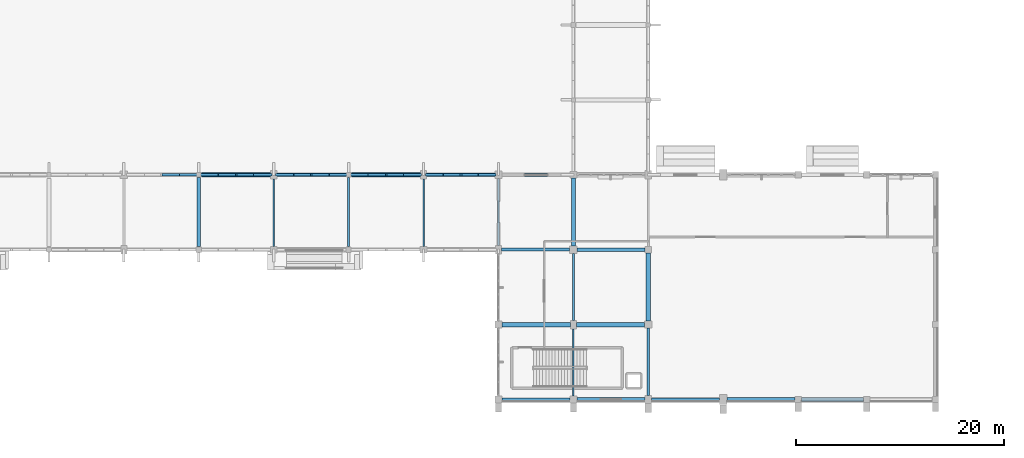
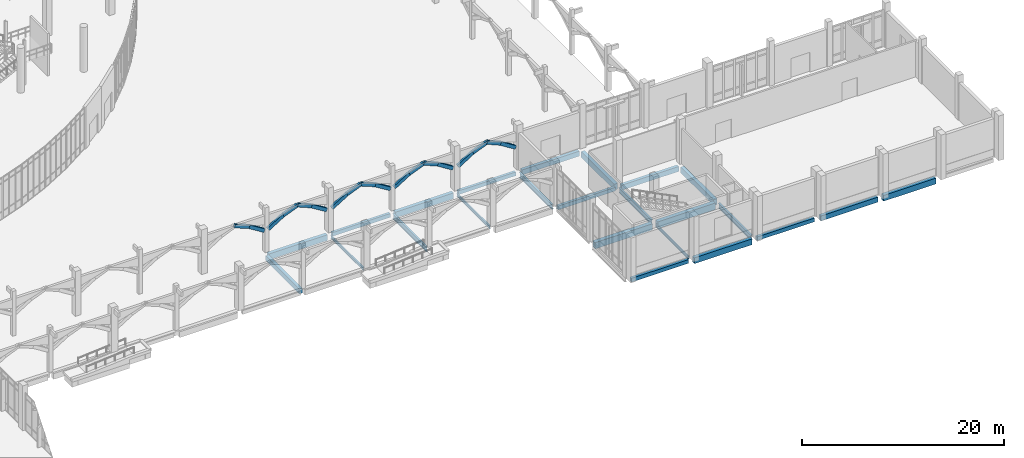
# One storey, part 29 of 110: 24 beams, 18 members.
"""IFC4 building model written with IfcOpenShell, lengths in metres."""

from ifc_helpers import new_model, si_unit, direction, frame, origin, origin_2d, place, context, subcontext, project, spatial, rectangle, i_section, extrude, material, material_profile, profile_set, type_object, element, save


model = new_model("IFC4")

# Units and contexts
model_context = context("Model", 3, precision=1e-05, world=origin(), true_north=direction((0.0, 1.0)))
body_context = subcontext(model_context, "Body", "Model", "MODEL_VIEW")
ifc_project = project(units=[si_unit("LENGTHUNIT", "METRE"), si_unit("AREAUNIT", "SQUARE_METRE"), si_unit("VOLUMEUNIT", "CUBIC_METRE"), si_unit("PLANEANGLEUNIT", "RADIAN"), si_unit("MASSUNIT", "GRAM", prefix="KILO")], contexts=[model_context])

# Site, building, storey
site_placement = place(None, origin())
site = spatial("IfcSite", under=ifc_project, at=site_placement, CompositionType="ELEMENT")
building_placement = place(site_placement, origin())
building = spatial("IfcBuilding", under=site, at=building_placement, Name="Kalluvel Institute of Natural Sciences", CompositionType="ELEMENT")
storey_placement = place(building_placement, origin())
storey = spatial("IfcBuildingStorey", under=building, at=storey_placement, Name="L00", CompositionType="ELEMENT", Elevation=0.0)

# Beams
ifc_material_1 = material(Name="Steel E350 Grade 350", Category="steel")
ifc_material_profile_1 = material_profile(ifc_material_1, i_section(OverallWidth=0.139892578125, OverallDepth=0.35009765625, WebThickness=0.008056640625, FlangeThickness=0.01416015625, FilletRadius=0.013916015625, at=origin_2d()), Name="ISMB 350")
ifc_profile_set_1 = profile_set([ifc_material_profile_1], Name="Steel E350 Grade 350")
beam_type_1 = type_object("IfcBeamType", Name="BM-ISMB350", PredefinedType="BEAM", material=ifc_profile_set_1)
for number, where, z_axis, x_axis, name in (
    (1, (78.800048828125, 28.72509765625, -0.4951171875), (0.0, 1.0, 0.0), (-1.0, 0.0, 0.0), "L00 girder GIR-L00-NS-X788-Y284"),
    (2, (93.199951171875, 28.72509765625, -0.4951171875), (0.0, 1.0, 0.0), (-1.0, 0.0, 0.0), "L00 girder GIR-L00-NS-X932-Y284"),
):
    element("IfcBeam", number, at=place(storey_placement, frame(where, z_axis=z_axis, x_axis=x_axis)), inside=storey, type_object=beam_type_1, Name=name, PredefinedType="BEAM", context=body_context, shape_type="SweptSolid", body=[
        extrude(i_section(OverallWidth=0.139892578125, OverallDepth=0.35009765625, WebThickness=0.008056640625, FlangeThickness=0.01416015625, FilletRadius=0.013916015625, at=origin_2d()), origin(), (0.0, 0.0, 1.0), 6.474853515625),
    ])
beam_1_placement = place(storey_placement, frame((107.60009765625, 14.324951171875, -0.4951171875), z_axis=(0.0, 1.0, 0.0), x_axis=(-1.0, 0.0, 0.0)))
element("IfcBeam", 3, at=beam_1_placement, inside=storey, type_object=beam_type_1, Name="L00 girder GIR-L00-NS-X1076-Y140", PredefinedType="BEAM", context=body_context, shape_type="SweptSolid", body=[
    extrude(i_section(OverallWidth=0.139892578125, OverallDepth=0.35009765625, WebThickness=0.008056640625, FlangeThickness=0.01416015625, FilletRadius=0.013916015625, at=origin_2d()), origin(), (0.0, 0.0, 1.0), 6.47509765625),
])
ifc_material_profile_2 = material_profile(ifc_material_1, i_section(OverallWidth=0.2099609375, OverallDepth=0.60009765625, WebThickness=0.011962890625, FlangeThickness=0.020751953125, FilletRadius=0.02001953125, at=origin_2d()), Name="ISMB 600")
ifc_profile_set_2 = profile_set([ifc_material_profile_2], Name="Steel E350 Grade 350")
beam_type_2 = type_object("IfcBeamType", Name="BM-ISMB600", PredefinedType="BEAM", material=ifc_profile_set_2)
beam_2_placement = place(storey_placement, frame((86.0, 28.699951171875, -0.6201171875), z_axis=(0.0, 1.0, 0.0), x_axis=(-1.0, 0.0, 0.0)))
element("IfcBeam", 4, at=beam_2_placement, inside=storey, type_object=beam_type_2, Name="L00 girder GIR-L00-NS-X860-Y284", PredefinedType="BEAM", context=body_context, shape_type="SweptSolid", body=[
    extrude(i_section(OverallWidth=0.2099609375, OverallDepth=0.60009765625, WebThickness=0.011962890625, FlangeThickness=0.020751953125, FilletRadius=0.02001953125, at=origin_2d()), origin(), (0.0, 0.0, 1.0), 6.625),
])
for number, where, z_axis, x_axis, name in (
    (5, (100.39990234375, 28.800048828125, -0.6201171875), (0.0, 1.0, 0.0), (-1.0, 0.0, 0.0), "L00 girder GIR-L00-NS-X1004-Y284"),
    (6, (107.60009765625, 21.60009765625, -0.6201171875), (0.0, 1.0, 0.0), (-1.0, 0.0, 0.0), "L00 girder GIR-L00-NS-X1076-Y212"),
):
    element("IfcBeam", number, at=place(storey_placement, frame(where, z_axis=z_axis, x_axis=x_axis)), inside=storey, type_object=beam_type_2, Name=name, PredefinedType="BEAM", context=body_context, shape_type="SweptSolid", body=[
        extrude(i_section(OverallWidth=0.2099609375, OverallDepth=0.60009765625, WebThickness=0.011962890625, FlangeThickness=0.020751953125, FilletRadius=0.02001953125, at=origin_2d()), origin(), (0.0, 0.0, 1.0), 6.449951171875),
    ])
beam_3_placement = place(storey_placement, frame((114.800048828125, 14.39990234375, -0.639892578125), z_axis=(0.0, 1.0, 0.0), x_axis=(-1.0, 0.0, 0.0)))
element("IfcBeam", 7, at=beam_3_placement, inside=storey, type_object=beam_type_2, Name="L00 girder GIR-L00-NS-X1148-Y140", PredefinedType="BEAM", context=body_context, shape_type="SweptSolid", body=[
    extrude(i_section(OverallWidth=0.2099609375, OverallDepth=0.60009765625, WebThickness=0.011962890625, FlangeThickness=0.020751953125, FilletRadius=0.02001953125, at=origin_2d()), origin(), (0.0, 0.0, 1.0), 6.4501953125),
])
ifc_material_2 = material(Name="Concrete M40", Category="concrete")
ifc_material_profile_3 = material_profile(ifc_material_2, rectangle(XDim=0.35009765625, YDim=0.60009765625, at=origin_2d()), Name="RCB 350x600")
ifc_profile_set_3 = profile_set([ifc_material_profile_3], Name="Concrete M40")
beam_type_3 = type_object("IfcBeamType", Name="BM-RC350x600", PredefinedType="BEAM", material=ifc_profile_set_3)
beam_4_placement = place(storey_placement, frame((71.60009765625, 28.699951171875, -0.6201171875), z_axis=(0.0, 1.0, 0.0), x_axis=(-1.0, 0.0, 0.0)))
element("IfcBeam", 8, at=beam_4_placement, inside=storey, type_object=beam_type_3, Name="L00 girder GIR-L00-NS-X716-Y284", PredefinedType="BEAM", context=body_context, shape_type="SweptSolid", body=[
    extrude(rectangle(XDim=0.35009765625, YDim=0.60009765625, at=origin_2d()), origin(), (0.0, 0.0, 1.0), 6.625),
])
ifc_material_profile_4 = material_profile(ifc_material_2, rectangle(XDim=0.39990234375, YDim=0.699951171875, at=origin_2d()), Name="RCB 400x700")
ifc_profile_set_4 = profile_set([ifc_material_profile_4], Name="Concrete M40")
beam_type_4 = type_object("IfcBeamType", Name="BM-RC400x700", PredefinedType="BEAM", material=ifc_profile_set_4)
for number, where, z_axis, x_axis, name in (
    (9, (107.60009765625, 28.75, -0.669921875), (0.0, 1.0, 0.0), (-1.0, 0.0, 0.0), "L00 girder GIR-L00-NS-X1076-Y284"),
    (10, (114.800048828125, 21.550048828125, -0.68994140625), (0.0, 1.0, 0.0), (-1.0, 0.0, 0.0), "L00 girder GIR-L00-NS-X1148-Y212"),
):
    element("IfcBeam", number, at=place(storey_placement, frame(where, z_axis=z_axis, x_axis=x_axis)), inside=storey, type_object=beam_type_4, Name=name, PredefinedType="BEAM", context=body_context, shape_type="SweptSolid", body=[
        extrude(rectangle(XDim=0.39990234375, YDim=0.699951171875, at=origin_2d()), origin(), (0.0, 0.0, 1.0), 6.52490234375),
    ])
ifc_material_profile_5 = material_profile(ifc_material_2, rectangle(XDim=0.449951171875, YDim=0.75, at=origin_2d()), Name="RCB 450x750")
ifc_profile_set_5 = profile_set([ifc_material_profile_5], Name="Concrete M40")
beam_type_5 = type_object("IfcBeamType", Name="BM-RC450x750", PredefinedType="BEAM", material=ifc_profile_set_5)
beam_5_placement = place(storey_placement, frame((100.72509765625, 21.199951171875, -0.695068359375), z_axis=(1.0, 0.0, 0.0), x_axis=(0.0, 1.0, 0.0)))
element("IfcBeam", 11, at=beam_5_placement, inside=storey, type_object=beam_type_5, Name="L00 girder GIR-L00-EW-X1004-Y212", PredefinedType="BEAM", context=body_context, shape_type="SweptSolid", body=[
    extrude(rectangle(XDim=0.449951171875, YDim=0.75, at=origin_2d()), origin(), (0.0, 0.0, 1.0), 6.574951171875),
])
ifc_material_profile_6 = material_profile(ifc_material_2, rectangle(XDim=0.449951171875, YDim=0.800048828125, at=origin_2d()), Name="RCB 450x800")
ifc_profile_set_6 = profile_set([ifc_material_profile_6], Name="Concrete M40")
beam_type_6 = type_object("IfcBeamType", Name="BM-RC450x800", PredefinedType="BEAM", material=ifc_profile_set_6)
beam_6_placement = place(storey_placement, frame((107.89990234375, 21.199951171875, -0.719970703125), z_axis=(1.0, 0.0, 0.0), x_axis=(0.0, 1.0, 0.0)))
element("IfcBeam", 12, at=beam_6_placement, inside=storey, type_object=beam_type_6, Name="L00 girder GIR-L00-EW-X1076-Y212", PredefinedType="BEAM", context=body_context, shape_type="SweptSolid", body=[
    extrude(rectangle(XDim=0.449951171875, YDim=0.800048828125, at=origin_2d()), origin(), (0.0, 0.0, 1.0), 6.550048828125),
])

# Members
ifc_material_3 = material(Name="Sadarahalli Granite Precast Concrete M45", Category="masonry")
ifc_material_profile_7 = material_profile(ifc_material_3, rectangle(XDim=0.25, YDim=0.39990234375, at=origin_2d()), Name="RCB 250x400")
ifc_profile_set_7 = profile_set([ifc_material_profile_7], Name="Sadarahalli Granite Precast Concrete M45")
member_type = type_object("IfcMemberType", Name="MB-CL-ARCH250", PredefinedType="USERDEFINED", material=ifc_profile_set_7)
member_1_placement = place(storey_placement, frame((68.0, 35.60009765625, 4.340087890625), z_axis=(0.929191386523, 0.0, -0.369598927502), x_axis=(0.0, 1.0, 0.0)))
element("IfcMember", 13, at=member_1_placement, inside=storey, type_object=member_type, Name="Gothic cloister pointed-lancet arch segment 35", ObjectType="ARCH_SEGMENT", PredefinedType="USERDEFINED", context=body_context, shape_type="SweptSolid", body=[
    extrude(rectangle(XDim=0.25, YDim=0.39990234375, at=origin_2d()), origin(), (0.0, 0.0, 1.0), 1.7861328125),
])
member_2_placement = place(storey_placement, frame((69.65966796875, 35.60009765625, 3.679931640625), z_axis=(0.848341098121, 0.0, -0.52945007436), x_axis=(0.0, 1.0, 0.0)))
element("IfcMember", 14, at=member_2_placement, inside=storey, type_object=member_type, Name="Gothic cloister pointed-lancet arch segment 36", ObjectType="ARCH_SEGMENT", PredefinedType="USERDEFINED", context=body_context, shape_type="SweptSolid", body=[
    extrude(rectangle(XDim=0.25, YDim=0.39990234375, at=origin_2d()), origin(), (0.0, 0.0, 1.0), 2.03955078125),
])
member_3_placement = place(storey_placement, frame((71.81005859375, 35.60009765625, 2.60009765625), z_axis=(0.850105251618, 0.0, 0.526612819035), x_axis=(0.0, 1.0, 0.0)))
element("IfcMember", 15, at=member_3_placement, inside=storey, type_object=member_type, Name="Gothic cloister pointed-lancet arch segment 41", ObjectType="ARCH_SEGMENT", PredefinedType="USERDEFINED", context=body_context, shape_type="SweptSolid", body=[
    extrude(rectangle(XDim=0.25, YDim=0.39990234375, at=origin_2d()), origin(), (0.0, 0.0, 1.0), 2.050537109375),
])
member_4_placement = place(storey_placement, frame((73.55322265625, 35.60009765625, 3.679931640625), z_axis=(0.928191703949, 0.0, 0.37210235248), x_axis=(0.0, 1.0, 0.0)))
element("IfcMember", 16, at=member_4_placement, inside=storey, type_object=member_type, Name="Gothic cloister pointed-lancet arch segment 42", ObjectType="ARCH_SEGMENT", PredefinedType="USERDEFINED", context=body_context, shape_type="SweptSolid", body=[
    extrude(rectangle(XDim=0.25, YDim=0.39990234375, at=origin_2d()), origin(), (0.0, 0.0, 1.0), 1.774169921875),
])
member_5_placement = place(storey_placement, frame((75.199951171875, 35.60009765625, 4.340087890625), z_axis=(0.921980060446, 0.0, -0.387237353751), x_axis=(0.0, 1.0, 0.0)))
element("IfcMember", 17, at=member_5_placement, inside=storey, type_object=member_type, Name="Gothic cloister pointed-lancet arch segment 43", ObjectType="ARCH_SEGMENT", PredefinedType="USERDEFINED", context=body_context, shape_type="SweptSolid", body=[
    extrude(rectangle(XDim=0.25, YDim=0.39990234375, at=origin_2d()), origin(), (0.0, 0.0, 1.0), 1.704833984375),
])
member_6_placement = place(storey_placement, frame((76.771728515625, 35.60009765625, 3.679931640625), z_axis=(0.850105251618, 0.0, -0.526612819035), x_axis=(0.0, 1.0, 0.0)))
element("IfcMember", 18, at=member_6_placement, inside=storey, type_object=member_type, Name="Gothic cloister pointed-lancet arch segment 44", ObjectType="ARCH_SEGMENT", PredefinedType="USERDEFINED", context=body_context, shape_type="SweptSolid", body=[
    extrude(rectangle(XDim=0.25, YDim=0.39990234375, at=origin_2d()), origin(), (0.0, 0.0, 1.0), 2.050537109375),
])
member_7_placement = place(storey_placement, frame((79.0849609375, 35.60009765625, 2.60009765625), z_axis=(0.850138265106, 0.0, 0.526559521994), x_axis=(0.0, 1.0, 0.0)))
element("IfcMember", 19, at=member_7_placement, inside=storey, type_object=member_type, Name="Gothic cloister pointed-lancet arch segment 49", ObjectType="ARCH_SEGMENT", PredefinedType="USERDEFINED", context=body_context, shape_type="SweptSolid", body=[
    extrude(rectangle(XDim=0.25, YDim=0.39990234375, at=origin_2d()), origin(), (0.0, 0.0, 1.0), 2.05078125),
])
member_8_placement = place(storey_placement, frame((80.828369140625, 35.60009765625, 3.679931640625), z_axis=(0.921958581594, 0.0, 0.387288489146), x_axis=(0.0, 1.0, 0.0)))
element("IfcMember", 20, at=member_8_placement, inside=storey, type_object=member_type, Name="Gothic cloister pointed-lancet arch segment 50", ObjectType="ARCH_SEGMENT", PredefinedType="USERDEFINED", context=body_context, shape_type="SweptSolid", body=[
    extrude(rectangle(XDim=0.25, YDim=0.39990234375, at=origin_2d()), origin(), (0.0, 0.0, 1.0), 1.70458984375),
])
member_9_placement = place(storey_placement, frame((82.39990234375, 35.60009765625, 4.340087890625), z_axis=(0.928191703949, 0.0, -0.37210235248), x_axis=(0.0, 1.0, 0.0)))
element("IfcMember", 21, at=member_9_placement, inside=storey, type_object=member_type, Name="Gothic cloister pointed-lancet arch segment 51", ObjectType="ARCH_SEGMENT", PredefinedType="USERDEFINED", context=body_context, shape_type="SweptSolid", body=[
    extrude(rectangle(XDim=0.25, YDim=0.39990234375, at=origin_2d()), origin(), (0.0, 0.0, 1.0), 1.774169921875),
])
for number, where, z_axis, x_axis, name in (
    (22, (84.046630859375, 35.60009765625, 3.679931640625), (0.850138265106, 0.0, -0.526559521994), (0.0, 1.0, 0.0), "Gothic cloister pointed-lancet arch segment 52"),
    (23, (86.2099609375, 35.60009765625, 2.60009765625), (0.850138265106, 0.0, 0.526559521994), (0.0, 1.0, 0.0), "Gothic cloister pointed-lancet arch segment 57"),
):
    element("IfcMember", number, at=place(storey_placement, frame(where, z_axis=z_axis, x_axis=x_axis)), inside=storey, type_object=member_type, Name=name, ObjectType="ARCH_SEGMENT", PredefinedType="USERDEFINED", context=body_context, shape_type="SweptSolid", body=[
        extrude(rectangle(XDim=0.25, YDim=0.39990234375, at=origin_2d()), origin(), (0.0, 0.0, 1.0), 2.05078125),
    ])
member_10_placement = place(storey_placement, frame((87.953369140625, 35.60009765625, 3.679931640625), z_axis=(0.928191703949, 0.0, 0.37210235248), x_axis=(0.0, 1.0, 0.0)))
element("IfcMember", 24, at=member_10_placement, inside=storey, type_object=member_type, Name="Gothic cloister pointed-lancet arch segment 58", ObjectType="ARCH_SEGMENT", PredefinedType="USERDEFINED", context=body_context, shape_type="SweptSolid", body=[
    extrude(rectangle(XDim=0.25, YDim=0.39990234375, at=origin_2d()), origin(), (0.0, 0.0, 1.0), 1.774169921875),
])
member_11_placement = place(storey_placement, frame((89.60009765625, 35.60009765625, 4.340087890625), z_axis=(0.921958581594, 0.0, -0.387288489146), x_axis=(0.0, 1.0, 0.0)))
element("IfcMember", 25, at=member_11_placement, inside=storey, type_object=member_type, Name="Gothic cloister pointed-lancet arch segment 59", ObjectType="ARCH_SEGMENT", PredefinedType="USERDEFINED", context=body_context, shape_type="SweptSolid", body=[
    extrude(rectangle(XDim=0.25, YDim=0.39990234375, at=origin_2d()), origin(), (0.0, 0.0, 1.0), 1.70458984375),
])
member_12_placement = place(storey_placement, frame((91.171630859375, 35.60009765625, 3.679931640625), z_axis=(0.850138265106, 0.0, -0.526559521994), x_axis=(0.0, 1.0, 0.0)))
element("IfcMember", 26, at=member_12_placement, inside=storey, type_object=member_type, Name="Gothic cloister pointed-lancet arch segment 60", ObjectType="ARCH_SEGMENT", PredefinedType="USERDEFINED", context=body_context, shape_type="SweptSolid", body=[
    extrude(rectangle(XDim=0.25, YDim=0.39990234375, at=origin_2d()), origin(), (0.0, 0.0, 1.0), 2.05078125),
])
member_13_placement = place(storey_placement, frame((93.485107421875, 35.60009765625, 2.60009765625), z_axis=(0.845623658358, 0.0, 0.533779569134), x_axis=(0.0, 1.0, 0.0)))
element("IfcMember", 27, at=member_13_placement, inside=storey, type_object=member_type, Name="Gothic cloister pointed-lancet arch segment 65", ObjectType="ARCH_SEGMENT", PredefinedType="USERDEFINED", context=body_context, shape_type="SweptSolid", body=[
    extrude(rectangle(XDim=0.25, YDim=0.39990234375, at=origin_2d()), origin(), (0.0, 0.0, 1.0), 2.02294921875),
])
member_14_placement = place(storey_placement, frame((95.19580078125, 35.60009765625, 3.679931640625), z_axis=(0.924762599318, 0.0, 0.380544524206), x_axis=(0.0, 1.0, 0.0)))
element("IfcMember", 28, at=member_14_placement, inside=storey, type_object=member_type, Name="Gothic cloister pointed-lancet arch segment 66", ObjectType="ARCH_SEGMENT", PredefinedType="USERDEFINED", context=body_context, shape_type="SweptSolid", body=[
    extrude(rectangle(XDim=0.25, YDim=0.39990234375, at=origin_2d()), origin(), (0.0, 0.0, 1.0), 1.73486328125),
])
member_15_placement = place(storey_placement, frame((96.800048828125, 35.60009765625, 4.340087890625), z_axis=(0.920411571119, 0.0, -0.390950815002), x_axis=(0.0, 1.0, 0.0)))
element("IfcMember", 29, at=member_15_placement, inside=storey, type_object=member_type, Name="Gothic cloister pointed-lancet arch segment 67", ObjectType="ARCH_SEGMENT", PredefinedType="USERDEFINED", context=body_context, shape_type="SweptSolid", body=[
    extrude(rectangle(XDim=0.25, YDim=0.39990234375, at=origin_2d()), origin(), (0.0, 0.0, 1.0), 1.6884765625),
])
member_16_placement = place(storey_placement, frame((98.354248046875, 35.60009765625, 3.679931640625), z_axis=(0.845623658358, 0.0, -0.533779569134), x_axis=(0.0, 1.0, 0.0)))
element("IfcMember", 30, at=member_16_placement, inside=storey, type_object=member_type, Name="Gothic cloister pointed-lancet arch segment 68", ObjectType="ARCH_SEGMENT", PredefinedType="USERDEFINED", context=body_context, shape_type="SweptSolid", body=[
    extrude(rectangle(XDim=0.25, YDim=0.39990234375, at=origin_2d()), origin(), (0.0, 0.0, 1.0), 2.02294921875),
])

# Beams
ifc_material_profile_8 = material_profile(ifc_material_2, rectangle(XDim=0.300048828125, YDim=0.449951171875, at=origin_2d()), Name="RCB 300x450")
ifc_profile_set_8 = profile_set([ifc_material_profile_8], Name="Concrete M40")
beam_type_7 = type_object("IfcBeamType", Name="SP-RC300x450", PredefinedType="SPANDREL", material=ifc_profile_set_8)
beam_7_placement = place(storey_placement, frame((100.75, 14.0, -0.544921875), z_axis=(1.0, 0.0, 0.0), x_axis=(0.0, 1.0, 0.0)))
element("IfcBeam", 31, at=beam_7_placement, inside=storey, type_object=beam_type_7, Name="L00 girder GIR-L00-EW-X1004-Y140", PredefinedType="SPANDREL", context=body_context, shape_type="SweptSolid", body=[
    extrude(rectangle(XDim=0.300048828125, YDim=0.449951171875, at=origin_2d()), origin(), (0.0, 0.0, 1.0), 6.52490234375),
])
beam_8_placement = place(storey_placement, frame((115.10009765625, 14.0, -0.56494140625), z_axis=(1.0, 0.0, 0.0), x_axis=(0.0, 1.0, 0.0)))
element("IfcBeam", 32, at=beam_8_placement, inside=storey, type_object=beam_type_7, Name="L00 girder GIR-L00-EW-X1148-Y140", PredefinedType="SPANDREL", context=body_context, shape_type="SweptSolid", body=[
    extrude(rectangle(XDim=0.300048828125, YDim=0.449951171875, at=origin_2d()), origin(), (0.0, 0.0, 1.0), 6.5498046875),
])
beam_9_placement = place(storey_placement, frame((100.699951171875, 28.39990234375, -0.544921875), z_axis=(1.0, 0.0, 0.0), x_axis=(0.0, 1.0, 0.0)))
element("IfcBeam", 33, at=beam_9_placement, inside=storey, type_object=beam_type_7, Name="L00 girder GIR-L00-EW-X1004-Y284", PredefinedType="SPANDREL", context=body_context, shape_type="SweptSolid", body=[
    extrude(rectangle(XDim=0.300048828125, YDim=0.449951171875, at=origin_2d()), origin(), (0.0, 0.0, 1.0), 6.550048828125),
])
beam_10_placement = place(storey_placement, frame((79.10009765625, 35.60009765625, -0.544921875), z_axis=(1.0, 0.0, 0.0), x_axis=(0.0, 1.0, 0.0)))
element("IfcBeam", 34, at=beam_10_placement, inside=storey, type_object=beam_type_7, Name="L00 girder GIR-L00-EW-X788-Y356", PredefinedType="SPANDREL", context=body_context, shape_type="SweptSolid", body=[
    extrude(rectangle(XDim=0.300048828125, YDim=0.449951171875, at=origin_2d()), origin(), (0.0, 0.0, 1.0), 6.625),
])
beam_11_placement = place(storey_placement, frame((93.5, 35.60009765625, -0.544921875), z_axis=(1.0, 0.0, 0.0), x_axis=(0.0, 1.0, 0.0)))
element("IfcBeam", 35, at=beam_11_placement, inside=storey, type_object=beam_type_7, Name="L00 girder GIR-L00-EW-X932-Y356", PredefinedType="SPANDREL", context=body_context, shape_type="SweptSolid", body=[
    extrude(rectangle(XDim=0.300048828125, YDim=0.449951171875, at=origin_2d()), origin(), (0.0, 0.0, 1.0), 6.550048828125),
])
ifc_material_profile_9 = material_profile(ifc_material_2, rectangle(XDim=0.35009765625, YDim=0.60009765625, at=origin_2d()), Name="RCB 350x600")
ifc_profile_set_9 = profile_set([ifc_material_profile_9], Name="Concrete M40")
beam_type_8 = type_object("IfcBeamType", Name="SP-RC350x600", PredefinedType="SPANDREL", material=ifc_profile_set_9)
beam_12_placement = place(storey_placement, frame((122.35009765625, 14.0, -0.639892578125), z_axis=(1.0, 0.0, 0.0), x_axis=(0.0, 1.0, 0.0)))
element("IfcBeam", 36, at=beam_12_placement, inside=storey, type_object=beam_type_8, Name="L00 girder GIR-L00-EW-X1220-Y140", PredefinedType="SPANDREL", context=body_context, shape_type="SweptSolid", body=[
    extrude(rectangle(XDim=0.35009765625, YDim=0.60009765625, at=origin_2d()), origin(), (0.0, 0.0, 1.0), 6.52490234375),
])
beam_13_placement = place(storey_placement, frame((107.949951171875, 28.39990234375, -0.6201171875), z_axis=(1.0, 0.0, 0.0), x_axis=(0.0, 1.0, 0.0)))
element("IfcBeam", 37, at=beam_13_placement, inside=storey, type_object=beam_type_8, Name="L00 girder GIR-L00-EW-X1076-Y284", PredefinedType="SPANDREL", context=body_context, shape_type="SweptSolid", body=[
    extrude(rectangle(XDim=0.35009765625, YDim=0.60009765625, at=origin_2d()), origin(), (0.0, 0.0, 1.0), 6.525146484375),
])
beam_14_placement = place(storey_placement, frame((100.75, 35.60009765625, -0.6201171875), z_axis=(1.0, 0.0, 0.0), x_axis=(0.0, 1.0, 0.0)))
element("IfcBeam", 38, at=beam_14_placement, inside=storey, type_object=beam_type_8, Name="L00 girder GIR-L00-EW-X1004-Y356", PredefinedType="SPANDREL", context=body_context, shape_type="SweptSolid", body=[
    extrude(rectangle(XDim=0.35009765625, YDim=0.60009765625, at=origin_2d()), origin(), (0.0, 0.0, 1.0), 6.52490234375),
])
ifc_material_profile_10 = material_profile(ifc_material_2, rectangle(XDim=0.39990234375, YDim=0.699951171875, at=origin_2d()), Name="RCB 400x700")
ifc_profile_set_10 = profile_set([ifc_material_profile_10], Name="Concrete M40")
beam_type_9 = type_object("IfcBeamType", Name="SP-RC400x700", PredefinedType="SPANDREL", material=ifc_profile_set_10)
beam_15_placement = place(storey_placement, frame((107.925048828125, 14.0, -0.669921875), z_axis=(1.0, 0.0, 0.0), x_axis=(0.0, 1.0, 0.0)))
element("IfcBeam", 39, at=beam_15_placement, inside=storey, type_object=beam_type_9, Name="L00 girder GIR-L00-EW-X1076-Y140", PredefinedType="SPANDREL", context=body_context, shape_type="SweptSolid", body=[
    extrude(rectangle(XDim=0.39990234375, YDim=0.699951171875, at=origin_2d()), origin(), (0.0, 0.0, 1.0), 6.574951171875),
])
beam_16_placement = place(storey_placement, frame((129.52490234375, 14.0, -0.68994140625), z_axis=(1.0, 0.0, 0.0), x_axis=(0.0, 1.0, 0.0)))
element("IfcBeam", 40, at=beam_16_placement, inside=storey, type_object=beam_type_9, Name="L00 girder GIR-L00-EW-X1292-Y140", PredefinedType="SPANDREL", context=body_context, shape_type="SweptSolid", body=[
    extrude(rectangle(XDim=0.39990234375, YDim=0.699951171875, at=origin_2d()), origin(), (0.0, 0.0, 1.0), 5.9501953125),
])
for number, where, z_axis, x_axis, name in (
    (41, (71.875, 35.60009765625, -0.669921875), (1.0, 0.0, 0.0), (0.0, 1.0, 0.0), "L00 girder GIR-L00-EW-X716-Y356"),
    (42, (86.27490234375, 35.60009765625, -0.669921875), (1.0, 0.0, 0.0), (0.0, 1.0, 0.0), "L00 girder GIR-L00-EW-X860-Y356"),
):
    element("IfcBeam", number, at=place(storey_placement, frame(where, z_axis=z_axis, x_axis=x_axis)), inside=storey, type_object=beam_type_9, Name=name, PredefinedType="SPANDREL", context=body_context, shape_type="SweptSolid", body=[
        extrude(rectangle(XDim=0.39990234375, YDim=0.699951171875, at=origin_2d()), origin(), (0.0, 0.0, 1.0), 6.625),
    ])

save(model, "model.ifc")
